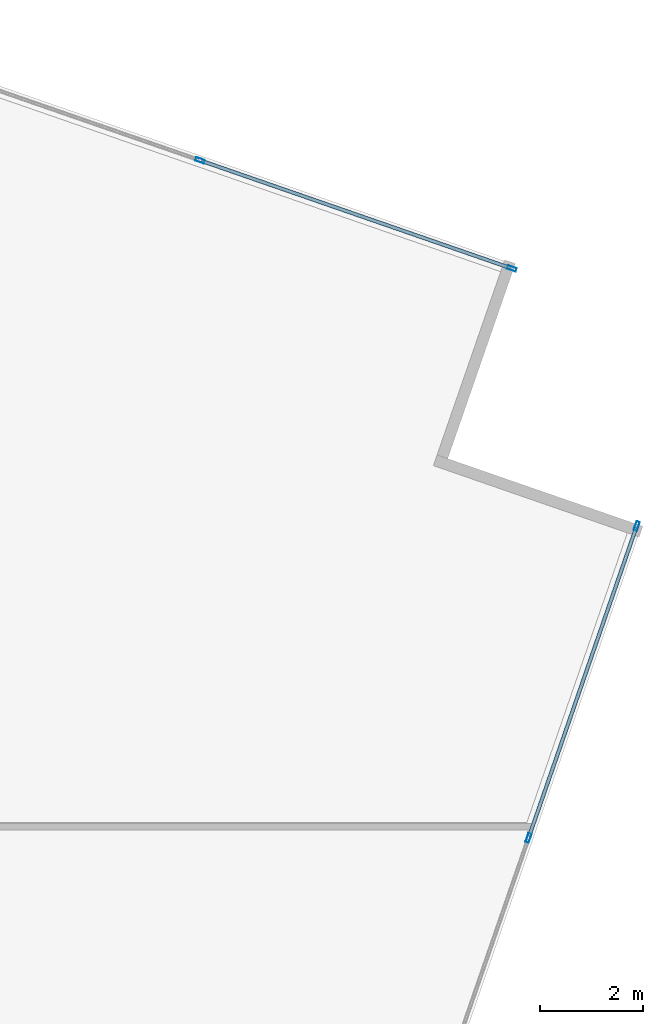
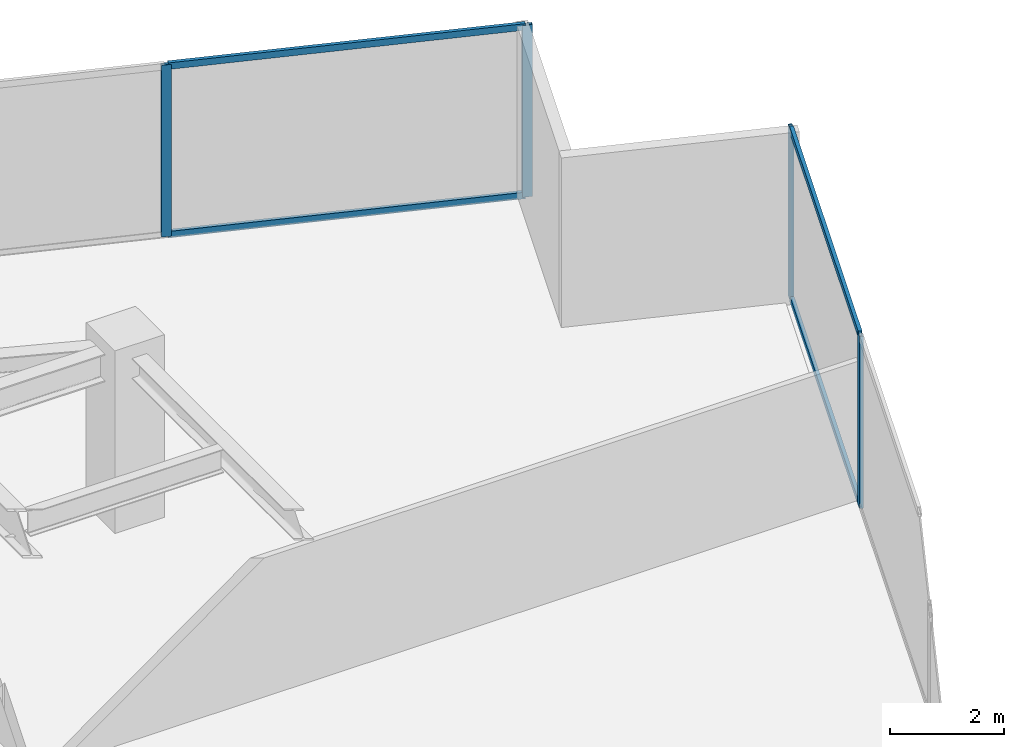
# One storey, part 20 of 28: 8 members, 2 elements without a shape of their own.
"""IFC4 building model written with IfcOpenShell, lengths in metres."""

import ifcopenshell
import ifcopenshell.guid

model = None  # the IFC model being written
_history = None  # IfcOwnerHistory: only IFC2X3 demands one
_inside = {}  # id of a spatial element -> (the spatial element, [elements in it])
_under = {}  # id of a project, library or spatial element -> (it, [spatial elements below it])
_declared = {}  # id of a project -> (the project, [libraries it declares])
_typed = {}  # id of a type object -> (the type object, [elements of that type])
_made_of = {}  # id of a material, layer set ... -> (it, [elements and type objects made of it])


def new_model(schema):
    """Start an empty IFC model of exactly this schema.

    Asked for "IFC4X3", IfcOpenShell would pick the latest addendum, in which some entities
    have other attributes; the version numbers below select the first issue.
    IFC2X3 requires an IfcOwnerHistory on every rooted entity: one is made here for all.
    """
    global model, _history
    if schema == "IFC4X3":
        model = ifcopenshell.file(schema_version=(4, 3, 0, 0))
    else:
        model = ifcopenshell.file(schema=schema)
    _inside.clear()
    _under.clear()
    _declared.clear()
    _typed.clear()
    _made_of.clear()
    _history = None
    if model.schema == "IFC2X3":
        org = make("IfcOrganization", Name="unknown")
        user = make(
            "IfcPersonAndOrganization",
            ThePerson=make("IfcPerson", FamilyName="unknown"),
            TheOrganization=org,
        )
        app = make(
            "IfcApplication",
            ApplicationDeveloper=org,
            Version="unknown",
            ApplicationFullName="unknown",
            ApplicationIdentifier="unknown",
        )
        _history = make(
            "IfcOwnerHistory",
            OwningUser=user,
            OwningApplication=app,
            ChangeAction="ADDED",
            CreationDate=0,
        )
    return model


def make(cls, **values):
    """One entity of the class cls with the attributes given. An attribute that is None is left unset."""
    return model.create_entity(
        cls, **{name: value for name, value in values.items() if value is not None}
    )


def rooted(cls, **values):
    """An entity with a GlobalId (a new one), such as an element, a storey or a relation."""
    return make(cls, GlobalId=ifcopenshell.guid.new(), OwnerHistory=_history, **values)


def si_unit(unit_type, name, prefix=None):
    """IfcSIUnit, for example si_unit("LENGTHUNIT", "METRE", prefix="MILLI")."""
    return make("IfcSIUnit", UnitType=unit_type, Prefix=prefix, Name=name)


def assignment(units):
    """IfcUnitAssignment: the units of a project."""
    return None if units is None else make("IfcUnitAssignment", Units=units)


def point(xyz):
    """IfcCartesianPoint."""
    return None if xyz is None else make("IfcCartesianPoint", Coordinates=xyz)


def direction(xyz):
    """IfcDirection."""
    return None if xyz is None else make("IfcDirection", DirectionRatios=xyz)


def frame(location, z_axis=None, x_axis=None):
    """IfcAxis2Placement3D, a coordinate frame: its origin and axes. An axis left out is left unset."""
    return make(
        "IfcAxis2Placement3D",
        Location=point(location),
        Axis=direction(z_axis),
        RefDirection=direction(x_axis),
    )


def frame_2d(location, x_axis=None):
    """IfcAxis2Placement2D, a coordinate frame in the plane: its origin and x axis."""
    return make(
        "IfcAxis2Placement2D", Location=point(location), RefDirection=direction(x_axis)
    )


def origin():
    """The frame at (0, 0, 0) with its axes left unset."""
    return frame((0.0, 0.0, 0.0))


def origin_2d():
    """The frame at (0, 0) in the plane with its x axis left unset."""
    return frame_2d((0.0, 0.0))


def place(relative_to, where):
    """IfcLocalPlacement: puts the frame where relative to a parent placement (None: the world)."""
    return make(
        "IfcLocalPlacement", PlacementRelTo=relative_to, RelativePlacement=where
    )


def context(
    kind, dimensions, precision=None, world=None, true_north=None, identifier=None
):
    """IfcGeometricRepresentationContext, for example the 3D "Model" context."""
    return make(
        "IfcGeometricRepresentationContext",
        ContextIdentifier=identifier,
        ContextType=kind,
        CoordinateSpaceDimension=dimensions,
        Precision=precision,
        WorldCoordinateSystem=world,
        TrueNorth=true_north,
    )


def subcontext(parent, identifier, kind, view, scale=None):
    """IfcGeometricRepresentationSubContext, for example "Body" below "Model"."""
    return make(
        "IfcGeometricRepresentationSubContext",
        ContextIdentifier=identifier,
        ContextType=kind,
        ParentContext=parent,
        TargetScale=scale,
        TargetView=view,
    )


def project(units=None, contexts=None):
    """IfcProject with its units and contexts."""
    return rooted(
        "IfcProject",
        Name="project",
        RepresentationContexts=contexts,
        UnitsInContext=assignment(units),
    )


def spatial(cls, under=None, at=None, **own):
    """A site, building, storey or space (cls), placed at a placement, below another one or the project."""
    s = rooted(cls, ObjectPlacement=at, **own)
    if under is not None:
        _under.setdefault(under.id(), (under, []))[1].append(s)
    return s


def profile(cls, at=None, kind="AREA", **sizes):
    """A parametric profile (cls). Its sizes go by their IFC names, for example OverallWidth=200.0."""
    return make(cls, ProfileType=kind, Position=at, **sizes)


def hollow_rectangle(**sizes):
    """IfcRectangleHollowProfileDef."""
    return profile("IfcRectangleHollowProfileDef", **sizes)


def extrude(swept, where, along, depth):
    """IfcExtrudedAreaSolid: the profile swept, set in the frame where, extruded along a direction by depth."""
    return make(
        "IfcExtrudedAreaSolid",
        SweptArea=swept,
        Position=where,
        ExtrudedDirection=direction(along),
        Depth=depth,
    )


def shape(context_of_items, identifier, shape_type, items):
    """IfcShapeRepresentation: the items that make up one representation, for example the "Body"."""
    return make(
        "IfcShapeRepresentation",
        ContextOfItems=context_of_items,
        RepresentationIdentifier=identifier,
        RepresentationType=shape_type,
        Items=items,
    )


def source(mapping_origin, context_of_items, identifier, shape_type, items):
    """IfcRepresentationMap: a shape defined once, which mapped items show again and again."""
    return make(
        "IfcRepresentationMap",
        MappingOrigin=mapping_origin,
        MappedRepresentation=shape(context_of_items, identifier, shape_type, items),
    )


def transform(
    local_origin,
    x_axis=None,
    y_axis=None,
    z_axis=None,
    scale=None,
    scale2=None,
    scale3=None,
    uniform=True,
):
    """IfcCartesianTransformationOperator3D, or its non-uniform kind. x_axis, y_axis, z_axis: its Axis1, 2, 3."""
    if uniform:
        return make(
            "IfcCartesianTransformationOperator3D",
            Axis1=direction(x_axis),
            Axis2=direction(y_axis),
            LocalOrigin=point(local_origin),
            Scale=scale,
            Axis3=direction(z_axis),
        )
    return make(
        "IfcCartesianTransformationOperator3DnonUniform",
        Axis1=direction(x_axis),
        Axis2=direction(y_axis),
        LocalOrigin=point(local_origin),
        Scale=scale,
        Axis3=direction(z_axis),
        Scale2=scale2,
        Scale3=scale3,
    )


def mapped(mapping_source, mapping_target):
    """IfcMappedItem: shows the shape of a source again, moved by a transform."""
    return make(
        "IfcMappedItem", MappingSource=mapping_source, MappingTarget=mapping_target
    )


def material(Name=None, Category=None):
    """IfcMaterial."""
    return make("IfcMaterial", Name=Name, Category=Category)


def material_profile(
    of_material, cross_section, Name=None, Category=None, Priority=None
):
    """IfcMaterialProfile: a cross section and its material."""
    return make(
        "IfcMaterialProfile",
        Name=Name,
        Material=of_material,
        Profile=cross_section,
        Priority=Priority,
        Category=Category,
    )


def profile_set(profiles, Name=None, composite=None):
    """IfcMaterialProfileSet."""
    return make(
        "IfcMaterialProfileSet",
        Name=Name,
        MaterialProfiles=profiles,
        CompositeProfile=composite,
    )


def made_of(thing, what):
    """Note that an element or type object is made of a material, layer set ...; save() writes the relation."""
    if what is not None:
        _made_of.setdefault(what.id(), (what, []))[1].append(thing)
    return thing


def type_object(cls, material=None, **own):
    """A type object (cls), such as IfcWallType, which elements share."""
    return made_of(rooted(cls, **own), material)


def type_shapes(of_type, sources):
    """Give a type object the sources (RepresentationMaps) that its elements show as mapped items."""
    of_type.RepresentationMaps = sources


def element(
    cls,
    number,
    at=None,
    inside=None,
    cuts=None,
    type_object=None,
    material=None,
    context=None,
    identifier="Body",
    shape_type=None,
    held_by="IfcProductDefinitionShape",
    body=None,
    shapes=None,
    **own,
):
    """One element of the class cls, such as IfcWall. Its Tag is "e" and its number.

    at: its placement. inside: the storey or other place that contains it. cuts: it is an
    opening in that element (IfcRelVoidsElement). A single representation is given by context,
    identifier, shape_type and body (its items); several are given by shapes. held_by: the class
    of the entity that holds the representations. save() writes the other relations.
    """
    e = rooted(cls, Tag="e%d" % number, ObjectPlacement=at, **own)
    if body is not None:
        shapes = [shape(context, identifier, shape_type, body)]
    if shapes is not None:
        e.Representation = make(held_by, Representations=shapes)
    if inside is not None:
        _inside.setdefault(inside.id(), (inside, []))[1].append(e)
    if cuts is not None:
        rooted(
            "IfcRelVoidsElement", RelatingBuildingElement=cuts, RelatedOpeningElement=e
        )
    if type_object is not None:
        _typed.setdefault(type_object.id(), (type_object, []))[1].append(e)
    return made_of(e, material)


def aggregate(whole, parts):
    """IfcRelAggregates: a whole, such as a stair, and the parts it consists of."""
    return rooted("IfcRelAggregates", RelatingObject=whole, RelatedObjects=parts)


def save(model, path):
    """Write the relations noted so far, then the file.

    IfcRelAggregates (storeys below a building ...), IfcRelContainedInSpatialStructure (elements
    in a storey), IfcRelDefinesByType, IfcRelAssociatesMaterial and IfcRelDeclares: one each for
    every whole, place, type object, material and project.
    """
    for whole, parts in _under.values():
        aggregate(whole, parts)
    for where, things in _inside.values():
        rooted(
            "IfcRelContainedInSpatialStructure",
            RelatedElements=things,
            RelatingStructure=where,
        )
    for kind, things in _typed.values():
        rooted("IfcRelDefinesByType", RelatedObjects=things, RelatingType=kind)
    for what, things in _made_of.values():
        rooted("IfcRelAssociatesMaterial", RelatedObjects=things, RelatingMaterial=what)
    for by, libraries in _declared.values():
        rooted("IfcRelDeclares", RelatingContext=by, RelatedDefinitions=libraries)
    model.write(path)


model = new_model("IFC4")

# Units and contexts
model_context = context("Model", 3, precision=1e-05, world=origin(), true_north=direction((0.0, 1.0)))
body_context = subcontext(model_context, "Body", "Model", "MODEL_VIEW")
ifc_project = project(units=[si_unit("LENGTHUNIT", "METRE"), si_unit("AREAUNIT", "SQUARE_METRE"), si_unit("VOLUMEUNIT", "CUBIC_METRE"), si_unit("PLANEANGLEUNIT", "RADIAN"), si_unit("MASSUNIT", "GRAM", prefix="KILO")], contexts=[model_context])

# Site, building, storey
site_placement = place(None, origin())
site = spatial("IfcSite", under=ifc_project, at=site_placement, CompositionType="ELEMENT")
building_placement = place(site_placement, origin())
building = spatial("IfcBuilding", under=site, at=building_placement, Name="Krantzveldt Concourse Tower", CompositionType="ELEMENT")
storey_placement = place(building_placement, frame((0.0, 0.0, 117.699951171875)))
storey = spatial("IfcBuildingStorey", under=building, at=storey_placement, Name="L28", CompositionType="ELEMENT", Elevation=117.699951171875)

# Curtain wall, members
ifc_material = material(Name="Anodised aluminium 6063-T6", Category="aluminium")
curtain_wall_type = type_object("IfcCurtainWallType", Name="CW2", PredefinedType="USERDEFINED", material=ifc_material)
curtain_wall_1_placement = place(storey_placement, origin())
curtain_wall_1 = element("IfcCurtainWall", 1, at=curtain_wall_1_placement, inside=storey, type_object=curtain_wall_type, Name="CW-L28-F07", ObjectType="UNITISED CURTAIN WALL", PredefinedType="USERDEFINED")
ifc_material_profile_1 = material_profile(ifc_material, hollow_rectangle(XDim=0.070068359375, YDim=0.179931640625, WallThickness=0.0048828125, at=origin_2d()), Name="Anodised aluminium 6063-T6", Category="aluminium")
ifc_profile_set_1 = profile_set([ifc_material_profile_1], Name="Anodised aluminium 6063-T6 - ALU-MULL 180x70x5")
member_type_1 = type_object("IfcMemberType", Name="CW-MUL-180", PredefinedType="MULLION", material=ifc_profile_set_1)
shared_shape_1 = source(origin(), body_context, "Body", "SweptSolid", [
    extrude(hollow_rectangle(XDim=0.070068359375, YDim=0.179931640625, WallThickness=0.0048828125, at=origin_2d()), origin(), (0.0, 0.0, 1.0), 3.670166015625),
])
type_shapes(member_type_1, [shared_shape_1])
member_1_placement = place(storey_placement, frame((62.2607421875, 31.282470703125, 0.0), z_axis=(0.0, 0.0, 1.0), x_axis=(-0.944806041446, 0.32763019404, 0.0)))
member_1 = element("IfcMember", 2, at=member_1_placement, type_object=member_type_1, Name="CW-Z12 mullion 6", PredefinedType="MULLION", context=body_context, shape_type="MappedRepresentation", body=[
    mapped(shared_shape_1, transform((0.0, 0.0, 0.0), x_axis=(1.0, 0.0, 0.0), y_axis=(0.0, 1.0, 0.0), z_axis=(0.0, 0.0, 1.0), scale=1.0)),
])
member_2_placement = place(storey_placement, frame((64.367919921875, 37.359130859375, 0.0), z_axis=(0.0, 0.0, 1.0), x_axis=(-0.944806041446, 0.32763019404, 0.0)))
member_2 = element("IfcMember", 3, at=member_2_placement, type_object=member_type_1, Name="CW-Z12 mullion 7", PredefinedType="MULLION", context=body_context, shape_type="MappedRepresentation", body=[
    mapped(shared_shape_1, transform((0.0, 0.0, 0.0), x_axis=(1.0, 0.0, 0.0), y_axis=(0.0, 1.0, 0.0), z_axis=(0.0, 0.0, 1.0), scale=1.0)),
])

curtain_wall_2_placement = place(storey_placement, origin())
curtain_wall_2 = element("IfcCurtainWall", 4, at=curtain_wall_2_placement, inside=storey, type_object=curtain_wall_type, Name="CW-L28-F10", ObjectType="UNITISED CURTAIN WALL", PredefinedType="USERDEFINED")
member_3_placement = place(storey_placement, frame((61.93310546875, 42.37890625, 0.0), z_axis=(0.0, 0.0, 1.0), x_axis=(-0.32763019404, -0.944806041446, 0.0)))
member_3 = element("IfcMember", 5, at=member_3_placement, type_object=member_type_1, Name="CW-Z12 mullion 1", PredefinedType="MULLION", context=body_context, shape_type="MappedRepresentation", body=[
    mapped(shared_shape_1, transform((0.0, 0.0, 0.0), x_axis=(1.0, 0.0, 0.0), y_axis=(0.0, 1.0, 0.0), z_axis=(0.0, 0.0, 1.0), scale=1.0)),
])
member_4_placement = place(storey_placement, frame((55.8564453125, 44.486083984375, 0.0), z_axis=(0.0, 0.0, 1.0), x_axis=(-0.32763019404, -0.944806041446, 0.0)))
member_4 = element("IfcMember", 6, at=member_4_placement, type_object=member_type_1, Name="CW-Z12 mullion 2", PredefinedType="MULLION", context=body_context, shape_type="MappedRepresentation", body=[
    mapped(shared_shape_1, transform((0.0, 0.0, 0.0), x_axis=(1.0, 0.0, 0.0), y_axis=(0.0, 1.0, 0.0), z_axis=(0.0, 0.0, 1.0), scale=1.0)),
])

# Member
ifc_material_profile_2 = material_profile(ifc_material, hollow_rectangle(XDim=0.070068359375, YDim=0.139892578125, WallThickness=0.0048828125, at=origin_2d()), Name="Anodised aluminium 6063-T6", Category="aluminium")
ifc_profile_set_2 = profile_set([ifc_material_profile_2], Name="Anodised aluminium 6063-T6 - ALU-TRAN 140x70x5")
member_type_2 = type_object("IfcMemberType", Name="CW-TRN-150", PredefinedType="USERDEFINED", material=ifc_profile_set_2)
shared_shape_2 = source(origin(), body_context, "Body", "SweptSolid", [
    extrude(hollow_rectangle(XDim=0.070068359375, YDim=0.139892578125, WallThickness=0.0048828125, at=origin_2d()), origin(), (0.0, 0.0, 1.0), 6.361572265625),
])
type_shapes(member_type_2, [shared_shape_2])
member_5_placement = place(storey_placement, frame((62.272216796875, 31.3154296875, 0.03515625), z_axis=(0.327625894764, 0.944807532294, 0.0), x_axis=(-0.944807532294, 0.327625894764, 0.0)))
member_5 = element("IfcMember", 7, at=member_5_placement, type_object=member_type_2, Name="CW-Z12 transom 6.1", ObjectType="TRANSOM", PredefinedType="USERDEFINED", context=body_context, shape_type="MappedRepresentation", body=[
    mapped(shared_shape_2, transform((0.0, 0.0, 0.0), x_axis=(1.0, 0.0, 0.0), y_axis=(0.0, 1.0, 0.0), z_axis=(0.0, 0.0, 1.0), scale=1.0)),
])

member_6_placement = place(storey_placement, frame((62.272216796875, 31.3154296875, 3.635009765625), z_axis=(0.327625894764, 0.944807532294, 0.0), x_axis=(-0.944807532294, 0.327625894764, 0.0)))
member_6 = element("IfcMember", 8, at=member_6_placement, type_object=member_type_2, Name="CW-Z12 transom 6.2", ObjectType="TRANSOM", PredefinedType="USERDEFINED", context=body_context, shape_type="MappedRepresentation", body=[
    mapped(shared_shape_2, transform((0.0, 0.0, 0.0), x_axis=(1.0, 0.0, 0.0), y_axis=(0.0, 1.0, 0.0), z_axis=(0.0, 0.0, 1.0), scale=1.0)),
])

aggregate(curtain_wall_1, [member_1, member_2, member_5, member_6])

member_7_placement = place(storey_placement, frame((61.900146484375, 42.390380859375, 0.03515625), z_axis=(-0.944807532294, 0.327625894764, 0.0), x_axis=(-0.327625894764, -0.944807532294, 0.0)))
member_7 = element("IfcMember", 9, at=member_7_placement, type_object=member_type_2, Name="CW-Z12 transom 1.1", ObjectType="TRANSOM", PredefinedType="USERDEFINED", context=body_context, shape_type="MappedRepresentation", body=[
    mapped(shared_shape_2, transform((0.0, 0.0, 0.0), x_axis=(1.0, 0.0, 0.0), y_axis=(0.0, 1.0, 0.0), z_axis=(0.0, 0.0, 1.0), scale=1.0)),
])

member_8_placement = place(storey_placement, frame((61.900146484375, 42.390380859375, 3.635009765625), z_axis=(-0.944807532294, 0.327625894764, 0.0), x_axis=(-0.327625894764, -0.944807532294, 0.0)))
member_8 = element("IfcMember", 10, at=member_8_placement, type_object=member_type_2, Name="CW-Z12 transom 1.2", ObjectType="TRANSOM", PredefinedType="USERDEFINED", context=body_context, shape_type="MappedRepresentation", body=[
    mapped(shared_shape_2, transform((0.0, 0.0, 0.0), x_axis=(1.0, 0.0, 0.0), y_axis=(0.0, 1.0, 0.0), z_axis=(0.0, 0.0, 1.0), scale=1.0)),
])

aggregate(curtain_wall_2, [member_3, member_4, member_7, member_8])

save(model, "model.ifc")
